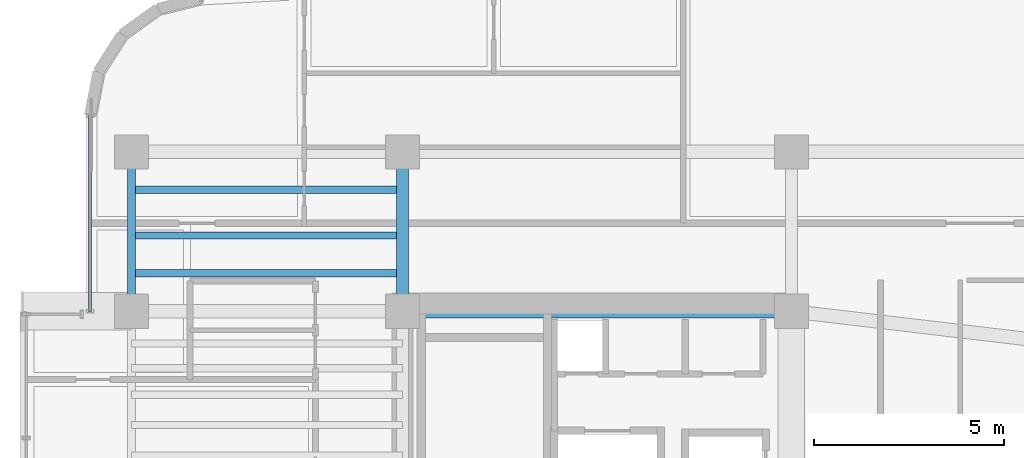
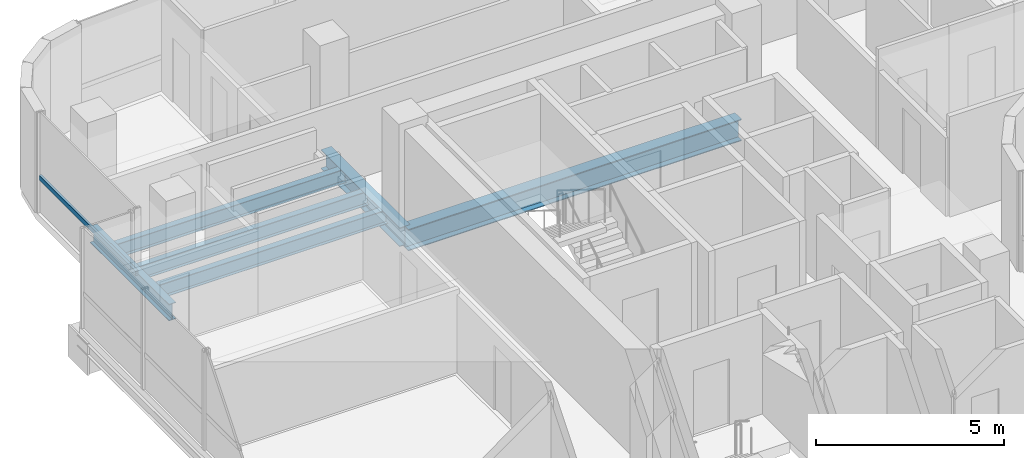
# One storey, part 8 of 22: 6 beams, 1 member, 1 element without a shape of its own.
"""IFC4 building model written with IfcOpenShell, lengths in metres."""

from ifc_helpers import new_model, si_unit, direction, frame, origin, origin_2d, place, context, subcontext, project, spatial, hollow_rectangle, i_section, extrude, source, transform, mapped, material, material_profile, profile_set, type_object, element, aggregate, save


model = new_model("IFC4")

# Units and contexts
model_context = context("Model", 3, precision=1e-05, world=origin(), true_north=direction((0.0, 1.0)))
body_context = subcontext(model_context, "Body", "Model", "MODEL_VIEW")
ifc_project = project(units=[si_unit("LENGTHUNIT", "METRE"), si_unit("AREAUNIT", "SQUARE_METRE"), si_unit("VOLUMEUNIT", "CUBIC_METRE"), si_unit("PLANEANGLEUNIT", "RADIAN"), si_unit("MASSUNIT", "GRAM", prefix="KILO")], contexts=[model_context])

# Site, building, storey
site_placement = place(None, origin())
site = spatial("IfcSite", under=ifc_project, at=site_placement, CompositionType="ELEMENT")
building_placement = place(site_placement, origin())
building = spatial("IfcBuilding", under=site, at=building_placement, Name="Valdorenza Pilgrim Sanctuary Tower", CompositionType="ELEMENT")
storey_placement = place(building_placement, frame((0.0, 0.0, 209.0)))
storey = spatial("IfcBuildingStorey", under=building, at=storey_placement, Name="L53", CompositionType="ELEMENT", Elevation=209.0)

# Beams
ifc_material_1 = material(Name="Steel ASTM A992 Grade 50", Category="steel")
ifc_material_profile_1 = material_profile(ifc_material_1, i_section(OverallWidth=0.323974609375, OverallDepth=0.611083984375, WebThickness=0.0126953125, FlangeThickness=0.01904296875, at=origin_2d()), Name="W24X104")
ifc_profile_set_1 = profile_set([ifc_material_profile_1], Name="Steel ASTM A992 Grade 50")
beam_type_1 = type_object("IfcBeamType", Name="STR-BM-GRD-W24B", PredefinedType="BEAM", material=ifc_profile_set_1)
shared_shape_1 = source(origin(), body_context, "Body", "SweptSolid", [
    extrude(i_section(OverallWidth=0.323974609375, OverallDepth=0.611083984375, WebThickness=0.0126953125, FlangeThickness=0.01904296875, at=origin_2d()), origin(), (0.0, 0.0, 1.0), 4.199951171875),
])
beam_1_placement = place(storey_placement, frame((-22.64990234375, 10.60009765625, -0.54541015625), z_axis=(0.0, 1.0, 0.0), x_axis=(-1.0, 0.0, 0.0)))
element("IfcBeam", 1, at=beam_1_placement, inside=storey, type_object=beam_type_1, Name="L53 Core Tie Girder CA-W-N1N2", PredefinedType="BEAM", context=body_context, shape_type="MappedRepresentation", body=[
    mapped(shared_shape_1, transform((0.0, 0.0, 0.0), x_axis=(1.0, 0.0, 0.0), y_axis=(0.0, 1.0, 0.0), z_axis=(0.0, 0.0, 1.0), scale=1.0)),
])
ifc_material_profile_2 = material_profile(ifc_material_1, i_section(OverallWidth=0.19091796875, OverallDepth=0.45703125, WebThickness=0.009033203125, FlangeThickness=0.014404296875, at=origin_2d()), Name="W18X50")
ifc_profile_set_2 = profile_set([ifc_material_profile_2], Name="Steel ASTM A992 Grade 50")
beam_type_2 = type_object("IfcBeamType", Name="STR-BM-JST-W18B", PredefinedType="JOIST", material=ifc_profile_set_2)
shared_shape_2 = source(origin(), body_context, "Body", "SweptSolid", [
    extrude(i_section(OverallWidth=0.19091796875, OverallDepth=0.45703125, WebThickness=0.009033203125, FlangeThickness=0.014404296875, at=origin_2d()), origin(), (0.0, 0.0, 1.0), 7.150146484375),
])
for number, where, z_axis, x_axis, name in (
    (2, (-29.800048828125, 11.60009765625, -0.468505859375), (1.0, 0.0, 0.0), (0.0, 1.0, 0.0), "L53 Composite Floor Joist JST-WA-24"),
    (3, (-29.800048828125, 12.60009765625, -0.468505859375), (1.0, 0.0, 0.0), (0.0, 1.0, 0.0), "L53 Composite Floor Joist JST-WA-25"),
    (4, (-29.800048828125, 13.800048828125, -0.468505859375), (1.0, 0.0, 0.0), (0.0, 1.0, 0.0), "L53 Composite Floor Joist JST-WA-26"),
):
    element("IfcBeam", number, at=place(storey_placement, frame(where, z_axis=z_axis, x_axis=x_axis)), inside=storey, type_object=beam_type_2, Name=name, PredefinedType="JOIST", context=body_context, shape_type="MappedRepresentation", body=[
        mapped(shared_shape_2, transform((0.0, 0.0, 0.0), x_axis=(1.0, 0.0, 0.0), y_axis=(0.0, 1.0, 0.0), z_axis=(0.0, 0.0, 1.0), scale=1.0)),
    ])
ifc_material_profile_3 = material_profile(ifc_material_1, i_section(OverallWidth=0.2109375, OverallDepth=0.5390625, WebThickness=0.01171875, FlangeThickness=0.018798828125, at=origin_2d()), Name="W21X73")
ifc_profile_set_3 = profile_set([ifc_material_profile_3], Name="Steel ASTM A992 Grade 50")
beam_type_3 = type_object("IfcBeamType", Name="STR-BM-SPN-W21B", PredefinedType="SPANDREL", material=ifc_profile_set_3)
shared_shape_3 = source(origin(), body_context, "Body", "SweptSolid", [
    extrude(i_section(OverallWidth=0.2109375, OverallDepth=0.5390625, WebThickness=0.01171875, FlangeThickness=0.018798828125, at=origin_2d()), origin(), (0.0, 0.0, 1.0), 4.199951171875),
])
beam_2_placement = place(storey_placement, frame((-29.800048828125, 10.60009765625, -0.509521484375), z_axis=(0.0, 1.0, 0.0), x_axis=(-1.0, 0.0, 0.0)))
element("IfcBeam", 5, at=beam_2_placement, inside=storey, type_object=beam_type_3, Name="L53 Spandrel Beam WA-W-N1N2", PredefinedType="SPANDREL", context=body_context, shape_type="MappedRepresentation", body=[
    mapped(shared_shape_3, transform((0.0, 0.0, 0.0), x_axis=(1.0, 0.0, 0.0), y_axis=(0.0, 1.0, 0.0), z_axis=(0.0, 0.0, 1.0), scale=1.0)),
])
ifc_material_profile_4 = material_profile(ifc_material_1, i_section(OverallWidth=0.35595703125, OverallDepth=0.700927734375, WebThickness=0.016845703125, FlangeThickness=0.02734375, at=origin_2d()), Name="W27X161")
ifc_profile_set_4 = profile_set([ifc_material_profile_4], Name="Steel ASTM A992 Grade 50")
beam_type_4 = type_object("IfcBeamType", Name="STR-BM-GRD-W27", PredefinedType="BEAM", material=ifc_profile_set_4)
shared_shape_4 = source(origin(), body_context, "Body", "SweptSolid", [
    extrude(i_section(OverallWidth=0.35595703125, OverallDepth=0.700927734375, WebThickness=0.016845703125, FlangeThickness=0.02734375, at=origin_2d()), origin(), (0.0, 0.0, 1.0), 10.25),
])
beam_3_placement = place(storey_placement, frame((-22.64990234375, 10.60009765625, -0.590576171875), z_axis=(1.0, 0.0, 0.0), x_axis=(0.0, 1.0, 0.0)))
element("IfcBeam", 6, at=beam_3_placement, inside=storey, type_object=beam_type_4, Name="L53 Floor Girder CA-XC-N1", PredefinedType="BEAM", context=body_context, shape_type="MappedRepresentation", body=[
    mapped(shared_shape_4, transform((0.0, 0.0, 0.0), x_axis=(1.0, 0.0, 0.0), y_axis=(0.0, 1.0, 0.0), z_axis=(0.0, 0.0, 1.0), scale=1.0)),
])

# Curtain wall, member
ifc_material_2 = material(Name="Curtain-wall IGU glazing", Category="glass")
curtain_wall_type = type_object("IfcCurtainWallType", Name="CW-SYS-02", PredefinedType="NOTDEFINED", material=ifc_material_2)
curtain_wall_placement = place(storey_placement, origin())
curtain_wall = element("IfcCurtainWall", 7, at=curtain_wall_placement, inside=storey, type_object=curtain_wall_type, Name="L53 Curtain Wall CW-L53-1-1S2", PredefinedType="NOTDEFINED")
ifc_material_3 = material(Name="Anodised aluminium AW-6060", Category="aluminium")
ifc_material_profile_5 = material_profile(ifc_material_3, hollow_rectangle(XDim=0.074951171875, YDim=0.14990234375, WallThickness=0.00390625, at=origin_2d()), Name="ALU-T 150x75x4")
ifc_profile_set_5 = profile_set([ifc_material_profile_5], Name="Anodised aluminium AW-6060")
member_type = type_object("IfcMemberType", Name="CW-TRN-02", PredefinedType="USERDEFINED", material=ifc_profile_set_5)
shared_shape_5 = source(origin(), body_context, "Body", "SweptSolid", [
    extrude(hollow_rectangle(XDim=0.074951171875, YDim=0.14990234375, WallThickness=0.00390625, at=origin_2d()), origin(), (0.0, 0.0, 1.0), 5.157470703125),
])
member_placement = place(storey_placement, frame((-30.889892578125, 10.60009765625, 1.1201171875), z_axis=(0.0, 1.0, 0.0), x_axis=(-1.0, 0.0, 0.0)))
member = element("IfcMember", 8, at=member_placement, type_object=member_type, Name="CW-L53-1-1S2 Transom 1", ObjectType="TRANSOM", PredefinedType="USERDEFINED", context=body_context, shape_type="MappedRepresentation", body=[
    mapped(shared_shape_5, transform((0.0, 0.0, 0.0), x_axis=(1.0, 0.0, 0.0), y_axis=(0.0, 1.0, 0.0), z_axis=(0.0, 0.0, 1.0), scale=1.0)),
])
aggregate(curtain_wall, [member])

save(model, "model.ifc")
